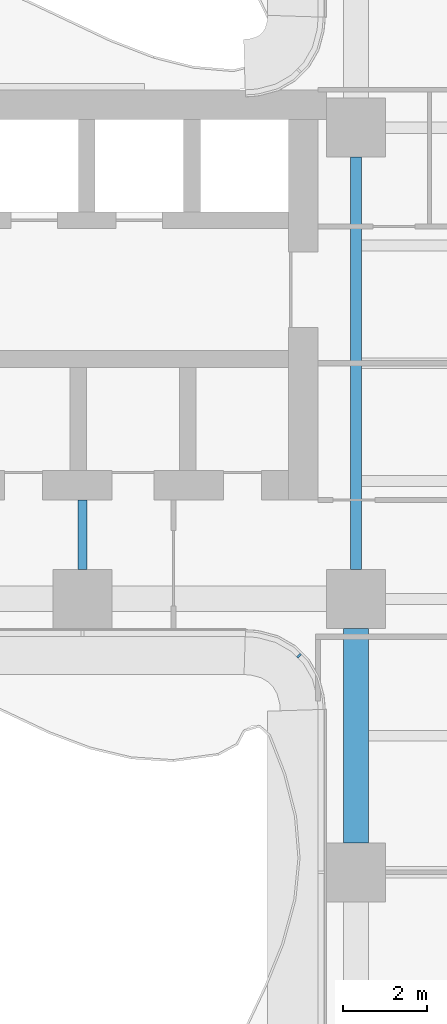
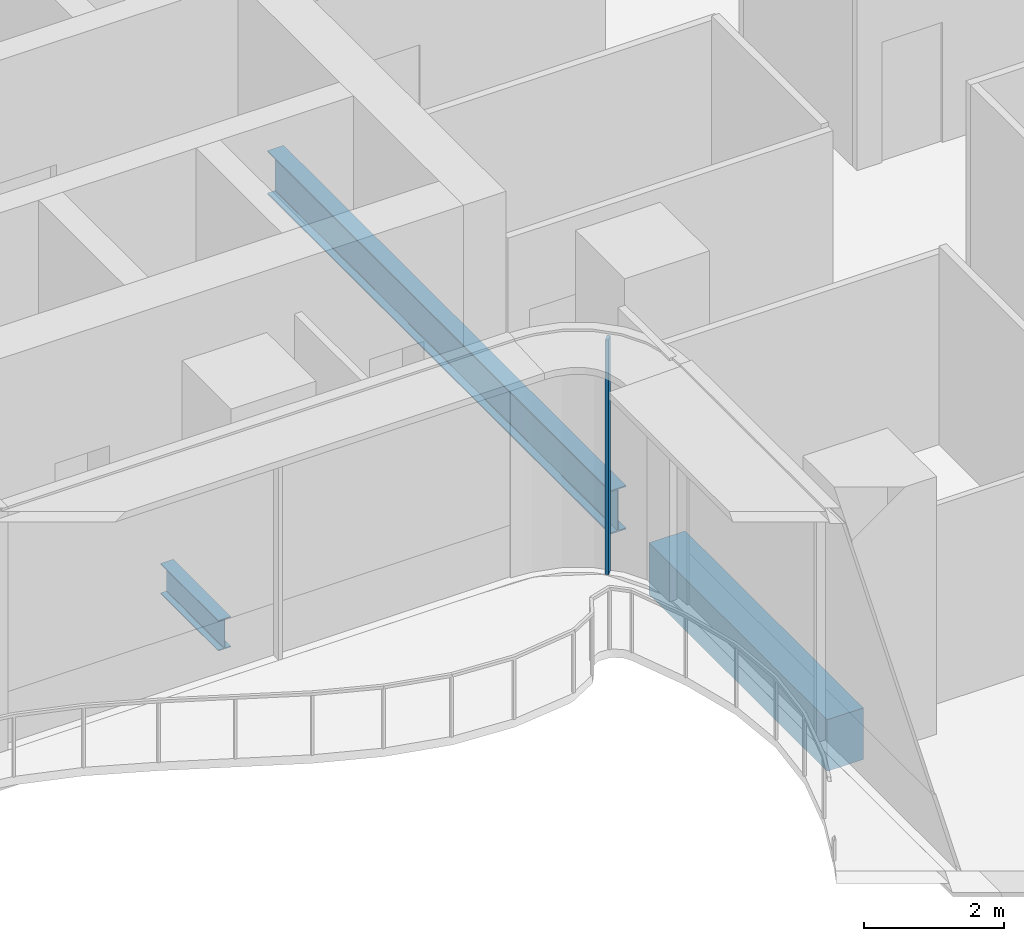
# One storey, part 4 of 22: 3 beams, 1 member, 1 element without a shape of its own.
"""IFC4 building model written with IfcOpenShell, lengths in metres."""

from ifc_helpers import new_model, si_unit, direction, frame, origin, origin_2d, place, context, subcontext, project, spatial, rectangle, i_section, extrude, source, transform, mapped, material, layer, layer_set, material_profile, profile_set, type_object, element, aggregate, save


model = new_model("IFC4")

# Units and contexts
model_context = context("Model", 3, precision=1e-05, world=origin(), true_north=direction((0.0, 1.0)))
body_context = subcontext(model_context, "Body", "Model", "MODEL_VIEW")
ifc_project = project(units=[si_unit("LENGTHUNIT", "METRE"), si_unit("AREAUNIT", "SQUARE_METRE"), si_unit("VOLUMEUNIT", "CUBIC_METRE"), si_unit("PLANEANGLEUNIT", "RADIAN"), si_unit("MASSUNIT", "GRAM", prefix="KILO")], contexts=[model_context])

# Site, building, storey
site_placement = place(None, origin())
site = spatial("IfcSite", under=ifc_project, at=site_placement, CompositionType="ELEMENT")
building_placement = place(site_placement, origin())
building = spatial("IfcBuilding", under=site, at=building_placement, Name="Trellis Farm Tower", CompositionType="ELEMENT")
storey_placement = place(building_placement, frame((0.0, 0.0, 61.0)))
storey = spatial("IfcBuildingStorey", under=building, at=storey_placement, Name="L12", CompositionType="ELEMENT", Elevation=61.0)

# Beams
ifc_material_1 = material(Name="Concrete C60/75", Category="concrete")
ifc_material_profile_1 = material_profile(ifc_material_1, rectangle(XDim=0.60009765625, YDim=0.89990234375, at=origin_2d()), Name="RC spandrel beam 600x900 C60/75")
ifc_profile_set_1 = profile_set([ifc_material_profile_1], Name="Concrete C60/75")
beam_type_1 = type_object("IfcBeamType", Name="RC spandrel beam 600x900 C60/75", PredefinedType="SPANDREL", material=ifc_profile_set_1)
shared_shape_1 = source(origin(), body_context, "Body", "SweptSolid", [
    extrude(rectangle(XDim=0.60009765625, YDim=0.89990234375, at=origin_2d()), origin(), (0.0, 0.0, 1.0), 5.099853515625),
])
beam_1_placement = place(storey_placement, frame((-5.60009765625, -11.39990234375, -0.699951171875), z_axis=(0.0, 1.0, 0.0), x_axis=(-1.0, 0.0, 0.0)))
element("IfcBeam", 1, at=beam_1_placement, inside=storey, type_object=beam_type_1, Name="Girder", PredefinedType="SPANDREL", context=body_context, shape_type="MappedRepresentation", body=[
    mapped(shared_shape_1, transform((0.0, 0.0, 0.0))),
])
ifc_material_2 = material(Name="Steel S355", Category="steel")
ifc_material_profile_2 = material_profile(ifc_material_2, i_section(OverallWidth=0.2666015625, OverallDepth=0.76220703125, WebThickness=0.014404296875, FlangeThickness=0.021484375, FilletRadius=0.0166015625, at=origin_2d()), Name="UB 762x267x173")
ifc_profile_set_2 = profile_set([ifc_material_profile_2], Name="Steel S355")
beam_type_2 = type_object("IfcBeamType", Name="UB 762x267x173", PredefinedType="BEAM", material=ifc_profile_set_2)
shared_shape_2 = source(origin(), body_context, "Body", "SweptSolid", [
    extrude(i_section(OverallWidth=0.2666015625, OverallDepth=0.76220703125, WebThickness=0.014404296875, FlangeThickness=0.021484375, FilletRadius=0.0166015625, at=origin_2d()), origin(), (0.0, 0.0, 1.0), 9.7998046875),
])
beam_2_placement = place(storey_placement, frame((-5.60009765625, -4.89990234375, -0.631103515625), z_axis=(0.0, 1.0, 0.0), x_axis=(-1.0, 0.0, 0.0)))
element("IfcBeam", 2, at=beam_2_placement, inside=storey, type_object=beam_type_2, Name="Girder", PredefinedType="BEAM", context=body_context, shape_type="MappedRepresentation", body=[
    mapped(shared_shape_2, transform((0.0, 0.0, 0.0))),
])
ifc_material_profile_3 = material_profile(ifc_material_2, i_section(OverallWidth=0.209228515625, OverallDepth=0.533203125, WebThickness=0.010009765625, FlangeThickness=0.015625, FilletRadius=0.0126953125, at=origin_2d()), Name="UB 533x210x92")
ifc_profile_set_3 = profile_set([ifc_material_profile_3], Name="Steel S355")
beam_type_3 = type_object("IfcBeamType", Name="UB 533x210x92", PredefinedType="BEAM", material=ifc_profile_set_3)
shared_shape_3 = source(origin(), body_context, "Body", "SweptSolid", [
    extrude(i_section(OverallWidth=0.209228515625, OverallDepth=0.533203125, WebThickness=0.010009765625, FlangeThickness=0.015625, FilletRadius=0.0126953125, at=origin_2d()), origin(), (0.0, 0.0, 1.0), 1.64990234375),
])
beam_3_placement = place(storey_placement, frame((-12.10009765625, -4.89990234375, -0.5166015625), z_axis=(0.0, 1.0, 0.0), x_axis=(-1.0, 0.0, 0.0)))
element("IfcBeam", 3, at=beam_3_placement, inside=storey, type_object=beam_type_3, Name="Girder", PredefinedType="BEAM", context=body_context, shape_type="MappedRepresentation", body=[
    mapped(shared_shape_3, transform((0.0, 0.0, 0.0))),
])

# Curtain wall, member
ifc_material_3 = material(Name="Aluminium and glass curtain wall", Category="aluminium")
ifc_layer = layer(ifc_material_3, 0.166015625)
ifc_layer_set = layer_set([ifc_layer], Name="WINTER GARDEN CURTAIN WALL CW3")
curtain_wall_type = type_object("IfcCurtainWallType", Name="WINTER GARDEN CURTAIN WALL CW3", PredefinedType="NOTDEFINED", material=ifc_layer_set)
curtain_wall_placement = place(storey_placement, origin())
curtain_wall = element("IfcCurtainWall", 4, at=curtain_wall_placement, inside=storey, type_object=curtain_wall_type, Name="CW3 001", PredefinedType="NOTDEFINED")
ifc_material_4 = material(Name="Aluminium extrusion 6063-T6", Category="aluminium")
ifc_material_profile_4 = material_profile(ifc_material_4, rectangle(XDim=0.050048828125, YDim=0.1201171875, at=origin_2d()), Name="MULLION 50x120")
ifc_profile_set_4 = profile_set([ifc_material_profile_4], Name="Aluminium extrusion 6063-T6")
member_type = type_object("IfcMemberType", Name="CW3 MULLION 50x120", PredefinedType="MULLION", material=ifc_profile_set_4)
shared_shape_4 = source(origin(), body_context, "Body", "SweptSolid", [
    extrude(rectangle(XDim=0.050048828125, YDim=0.1201171875, at=origin_2d()), origin(), (0.0, 0.0, 1.0), 4.10009765625),
])
member_placement = place(storey_placement, frame((-6.953125, -6.953125, 0.0), z_axis=(0.0, 0.0, 1.0), x_axis=(0.707106781187, -0.707106781187, 0.0)))
member = element("IfcMember", 5, at=member_placement, type_object=member_type, Name="MU3 001-01", PredefinedType="MULLION", context=body_context, shape_type="MappedRepresentation", body=[
    mapped(shared_shape_4, transform((0.0, 0.0, 0.0))),
])
aggregate(curtain_wall, [member])

save(model, "model.ifc")
